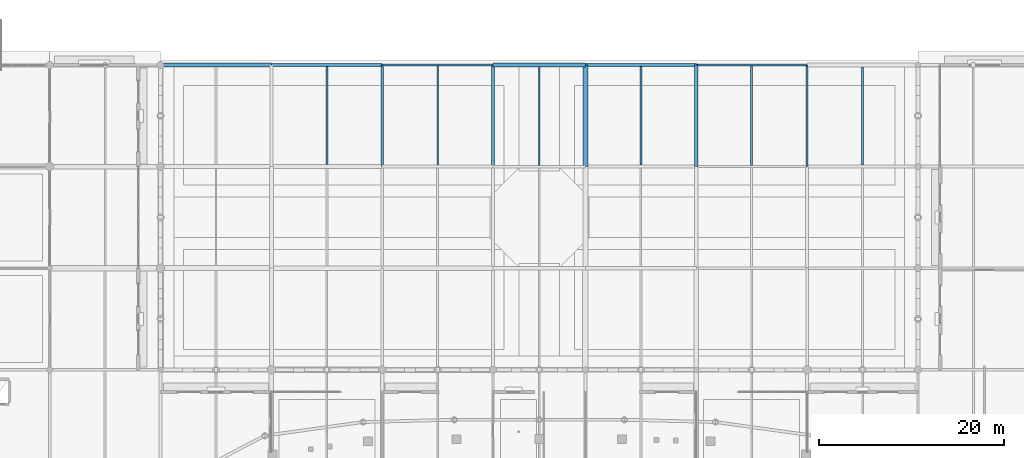
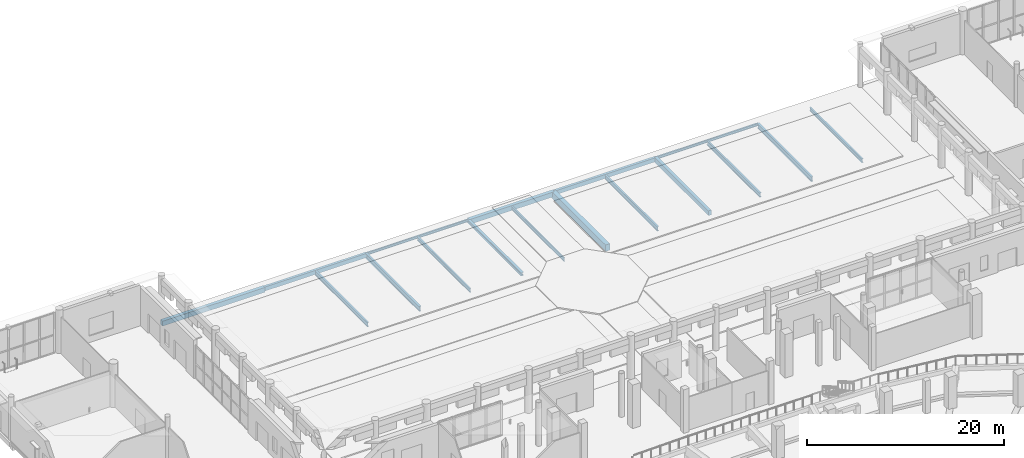
# One storey, part 39 of 120: 17 beams.
"""IFC4 building model written with IfcOpenShell, lengths in metres."""

from ifc_helpers import new_model, si_unit, direction, frame, origin, origin_2d, place, context, subcontext, project, spatial, rectangle, hollow_rectangle, i_section, extrude, material, material_profile, profile_set, type_object, element, save


model = new_model("IFC4")

# Units and contexts
model_context = context("Model", 3, precision=1e-05, world=origin(), true_north=direction((0.0, 1.0)))
body_context = subcontext(model_context, "Body", "Model", "MODEL_VIEW")
ifc_project = project(units=[si_unit("LENGTHUNIT", "METRE"), si_unit("AREAUNIT", "SQUARE_METRE"), si_unit("VOLUMEUNIT", "CUBIC_METRE"), si_unit("PLANEANGLEUNIT", "RADIAN"), si_unit("MASSUNIT", "GRAM", prefix="KILO")], contexts=[model_context])

# Site, building, storey
site_placement = place(None, origin())
site = spatial("IfcSite", under=ifc_project, at=site_placement, CompositionType="ELEMENT")
building_placement = place(site_placement, origin())
building = spatial("IfcBuilding", under=site, at=building_placement, Name="Luwafu Chhajja Arena", CompositionType="ELEMENT")
storey_placement = place(building_placement, origin())
storey = spatial("IfcBuildingStorey", under=building, at=storey_placement, Name="L00", CompositionType="ELEMENT", Elevation=0.0)

# Beams
ifc_material_1 = material(Name="Concrete C35/45", Category="concrete")
ifc_material_profile_1 = material_profile(ifc_material_1, rectangle(XDim=0.35009765625, YDim=0.60009765625, at=origin_2d()), Name="RC 350x600")
ifc_profile_set_1 = profile_set([ifc_material_profile_1], Name="Concrete C35/45")
beam_type_1 = type_object("IfcBeamType", Name="Arcade Tie Beam RC 350x600", PredefinedType="BEAM", material=ifc_profile_set_1)
beam_1_placement = place(storey_placement, frame((116.0, 121.0, -0.64990234375), z_axis=(0.0, 1.0, 0.0), x_axis=(-1.0, 0.0, 0.0)))
element("IfcBeam", 1, at=beam_1_placement, inside=storey, type_object=beam_type_1, Name="L00 Grid Beam 11/M-N", PredefinedType="BEAM", context=body_context, shape_type="SweptSolid", body=[
    extrude(rectangle(XDim=0.35009765625, YDim=0.60009765625, at=origin_2d()), origin(), (0.0, 0.0, 1.0), 11.0),
])
ifc_material_2 = material(Name="Steel S355", Category="steel")
ifc_material_profile_2 = material_profile(ifc_material_2, i_section(OverallWidth=0.165771484375, OverallDepth=0.306640625, WebThickness=0.006591796875, FlangeThickness=0.01171875, at=origin_2d()), Name="UB 305x165x46")
ifc_profile_set_2 = profile_set([ifc_material_profile_2], Name="Steel S355")
beam_type_2 = type_object("IfcBeamType", Name="Concourse Edge Spandrel Beam UB 305x165x46", PredefinedType="SPANDREL", material=ifc_profile_set_2)
for number, where, z_axis, x_axis, name in (
    (2, (82.0, 132.0, -0.50341796875), (1.0, 0.0, 0.0), (0.0, 1.0, 0.0), "L00 Grid Beam 8-9/N"),
    (3, (116.0, 132.0, -0.50341796875), (1.0, 0.0, 0.0), (0.0, 1.0, 0.0), "L00 Grid Beam 11-12/N"),
):
    element("IfcBeam", number, at=place(storey_placement, frame(where, z_axis=z_axis, x_axis=x_axis)), inside=storey, type_object=beam_type_2, Name=name, PredefinedType="SPANDREL", context=body_context, shape_type="SweptSolid", body=[
        extrude(i_section(OverallWidth=0.165771484375, OverallDepth=0.306640625, WebThickness=0.006591796875, FlangeThickness=0.01171875, at=origin_2d()), origin(), (0.0, 0.0, 1.0), 12.0),
    ])
ifc_material_profile_3 = material_profile(ifc_material_2, i_section(OverallWidth=0.15283203125, OverallDepth=0.45458984375, WebThickness=0.008056640625, FlangeThickness=0.01318359375, at=origin_2d()), Name="UB 457x152x60")
ifc_profile_set_3 = profile_set([ifc_material_profile_3], Name="Steel S355")
beam_type_3 = type_object("IfcBeamType", Name="Floor Joist UB 457x152x60", PredefinedType="JOIST", material=ifc_profile_set_3)
beam_2_placement = place(storey_placement, frame((99.0, 121.126953125, -0.577392578125), z_axis=(0.0, 1.0, 0.0), x_axis=(-1.0, 0.0, 0.0)))
element("IfcBeam", 4, at=beam_2_placement, inside=storey, type_object=beam_type_3, Name="L00 Secondary Joist 9-10/M", PredefinedType="JOIST", context=body_context, shape_type="SweptSolid", body=[
    extrude(i_section(OverallWidth=0.15283203125, OverallDepth=0.45458984375, WebThickness=0.008056640625, FlangeThickness=0.01318359375, at=origin_2d()), origin(), (0.0, 0.0, 1.0), 10.673095703125),
])
ifc_material_profile_4 = material_profile(ifc_material_2, i_section(OverallWidth=0.19140625, OverallDepth=0.4599609375, WebThickness=0.010009765625, FlangeThickness=0.01611328125, at=origin_2d()), Name="UB 457x191x82")
ifc_profile_set_4 = profile_set([ifc_material_profile_4], Name="Steel S355")
beam_type_4 = type_object("IfcBeamType", Name="Floor Joist UB 457x191x82", PredefinedType="JOIST", material=ifc_profile_set_4)
beam_3_placement = place(storey_placement, frame((88.0, 121.175048828125, -0.580078125), z_axis=(0.0, 1.0, 0.0), x_axis=(-1.0, 0.0, 0.0)))
element("IfcBeam", 5, at=beam_3_placement, inside=storey, type_object=beam_type_4, Name="L00 Secondary Joist 8-9/M", PredefinedType="JOIST", context=body_context, shape_type="SweptSolid", body=[
    extrude(i_section(OverallWidth=0.19140625, OverallDepth=0.4599609375, WebThickness=0.010009765625, FlangeThickness=0.01611328125, at=origin_2d()), origin(), (0.0, 0.0, 1.0), 10.741943359375),
])
beam_4_placement = place(storey_placement, frame((134.0, 121.14990234375, -0.580078125), z_axis=(0.0, 1.0, 0.0), x_axis=(-1.0, 0.0, 0.0)))
element("IfcBeam", 6, at=beam_4_placement, inside=storey, type_object=beam_type_4, Name="L00 Secondary Joist 12-13/M", PredefinedType="JOIST", context=body_context, shape_type="SweptSolid", body=[
    extrude(i_section(OverallWidth=0.19140625, OverallDepth=0.4599609375, WebThickness=0.010009765625, FlangeThickness=0.01611328125, at=origin_2d()), origin(), (0.0, 0.0, 1.0), 10.650146484375),
])
ifc_material_profile_5 = material_profile(ifc_material_2, i_section(OverallWidth=0.2099609375, OverallDepth=0.53662109375, WebThickness=0.0107421875, FlangeThickness=0.017333984375, at=origin_2d()), Name="UB 533x210x101")
ifc_profile_set_5 = profile_set([ifc_material_profile_5], Name="Steel S355")
beam_type_5 = type_object("IfcBeamType", Name="Floor Joist UB 533x210x101", PredefinedType="JOIST", material=ifc_profile_set_5)
beam_5_placement = place(storey_placement, frame((110.0, 121.153564453125, -0.618408203125), z_axis=(0.0, 1.0, 0.0), x_axis=(-1.0, 0.0, 0.0)))
element("IfcBeam", 7, at=beam_5_placement, inside=storey, type_object=beam_type_5, Name="L00 Secondary Joist 10-11/M", PredefinedType="JOIST", context=body_context, shape_type="SweptSolid", body=[
    extrude(i_section(OverallWidth=0.2099609375, OverallDepth=0.53662109375, WebThickness=0.0107421875, FlangeThickness=0.017333984375, at=origin_2d()), origin(), (0.0, 0.0, 1.0), 10.696533203125),
])
ifc_material_profile_6 = material_profile(ifc_material_2, i_section(OverallWidth=0.209228515625, OverallDepth=0.533203125, WebThickness=0.010009765625, FlangeThickness=0.015625, at=origin_2d()), Name="UB 533x210x92")
ifc_profile_set_6 = profile_set([ifc_material_profile_6], Name="Steel S355")
beam_type_6 = type_object("IfcBeamType", Name="Floor Joist UB 533x210x92", PredefinedType="JOIST", material=ifc_profile_set_6)
beam_6_placement = place(storey_placement, frame((76.0, 121.199951171875, -0.616455078125), z_axis=(0.0, 1.0, 0.0), x_axis=(-1.0, 0.0, 0.0)))
element("IfcBeam", 8, at=beam_6_placement, inside=storey, type_object=beam_type_6, Name="L00 Secondary Joist 7-8/M", PredefinedType="JOIST", context=body_context, shape_type="SweptSolid", body=[
    extrude(i_section(OverallWidth=0.209228515625, OverallDepth=0.533203125, WebThickness=0.010009765625, FlangeThickness=0.015625, at=origin_2d()), origin(), (0.0, 0.0, 1.0), 10.650146484375),
])
beam_7_placement = place(storey_placement, frame((122.0, 121.114501953125, -0.616455078125), z_axis=(0.0, 1.0, 0.0), x_axis=(-1.0, 0.0, 0.0)))
element("IfcBeam", 9, at=beam_7_placement, inside=storey, type_object=beam_type_6, Name="L00 Secondary Joist 11-12/M", PredefinedType="JOIST", context=body_context, shape_type="SweptSolid", body=[
    extrude(i_section(OverallWidth=0.209228515625, OverallDepth=0.533203125, WebThickness=0.010009765625, FlangeThickness=0.015625, at=origin_2d()), origin(), (0.0, 0.0, 1.0), 10.802490234375),
])
ifc_material_profile_7 = material_profile(ifc_material_1, rectangle(XDim=0.5, YDim=0.800048828125, at=origin_2d()), Name="RC 500x800")
ifc_profile_set_7 = profile_set([ifc_material_profile_7], Name="Concrete C35/45")
beam_type_7 = type_object("IfcBeamType", Name="Hospitality Primary Beam RC 500x800", PredefinedType="BEAM", material=ifc_profile_set_7)
beam_8_placement = place(storey_placement, frame((104.0, 121.0, -0.75), z_axis=(0.0, 1.0, 0.0), x_axis=(-1.0, 0.0, 0.0)))
element("IfcBeam", 10, at=beam_8_placement, inside=storey, type_object=beam_type_7, Name="L00 Grid Beam 10/M-N", PredefinedType="BEAM", context=body_context, shape_type="SweptSolid", body=[
    extrude(rectangle(XDim=0.5, YDim=0.800048828125, at=origin_2d()), origin(), (0.0, 0.0, 1.0), 11.0),
])
ifc_material_profile_8 = material_profile(ifc_material_2, hollow_rectangle(XDim=0.300048828125, YDim=0.5, WallThickness=0.02001953125, at=origin_2d()), Name="RHS 500x300x20")
ifc_profile_set_8 = profile_set([ifc_material_profile_8], Name="Steel S355")
beam_type_8 = type_object("IfcBeamType", Name="Pleated Drum Spandrel Beam RHS 500x300", PredefinedType="SPANDREL", material=ifc_profile_set_8)
for number, where, z_axis, x_axis, name in (
    (11, (70.0, 132.0, -0.60009765625), (1.0, 0.0, 0.0), (0.0, 1.0, 0.0), "L00 Grid Beam 7-8/N"),
    (12, (104.0, 132.0, -0.60009765625), (1.0, 0.0, 0.0), (0.0, 1.0, 0.0), "L00 Grid Beam 10-11/N"),
):
    element("IfcBeam", number, at=place(storey_placement, frame(where, z_axis=z_axis, x_axis=x_axis)), inside=storey, type_object=beam_type_8, Name=name, PredefinedType="SPANDREL", context=body_context, shape_type="SweptSolid", body=[
        extrude(hollow_rectangle(XDim=0.300048828125, YDim=0.5, WallThickness=0.02001953125, at=origin_2d()), origin(), (0.0, 0.0, 1.0), 12.0),
    ])
ifc_material_profile_9 = material_profile(ifc_material_1, rectangle(XDim=0.39990234375, YDim=0.60009765625, at=origin_2d()), Name="RC 400x600")
ifc_profile_set_9 = profile_set([ifc_material_profile_9], Name="Concrete C35/45")
beam_type_9 = type_object("IfcBeamType", Name="Podium Perimeter Spandrel RC 400x600", PredefinedType="SPANDREL", material=ifc_profile_set_9)
beam_9_placement = place(storey_placement, frame((58.0, 132.0, -0.64990234375), z_axis=(1.0, 0.0, 0.0), x_axis=(0.0, 1.0, 0.0)))
element("IfcBeam", 13, at=beam_9_placement, inside=storey, type_object=beam_type_9, Name="L00 Grid Beam 6-7/N", PredefinedType="SPANDREL", context=body_context, shape_type="SweptSolid", body=[
    extrude(rectangle(XDim=0.39990234375, YDim=0.60009765625, at=origin_2d()), origin(), (0.0, 0.0, 1.0), 12.0),
])
beam_10_placement = place(storey_placement, frame((94.0, 132.0, -0.64990234375), z_axis=(1.0, 0.0, 0.0), x_axis=(0.0, 1.0, 0.0)))
element("IfcBeam", 14, at=beam_10_placement, inside=storey, type_object=beam_type_9, Name="L00 Grid Beam 9-10/N", PredefinedType="SPANDREL", context=body_context, shape_type="SweptSolid", body=[
    extrude(rectangle(XDim=0.39990234375, YDim=0.60009765625, at=origin_2d()), origin(), (0.0, 0.0, 1.0), 10.0),
])
ifc_material_profile_10 = material_profile(ifc_material_2, i_section(OverallWidth=0.22900390625, OverallDepth=0.6123046875, WebThickness=0.011962890625, FlangeThickness=0.01953125, at=origin_2d()), Name="UB 610x229x125")
ifc_profile_set_10 = profile_set([ifc_material_profile_10], Name="Steel S355")
beam_type_10 = type_object("IfcBeamType", Name="Steel Mezzanine Girder UB 610x229x125", PredefinedType="BEAM", material=ifc_profile_set_10)
for number, where, z_axis, x_axis, name in (
    (15, (82.0, 121.0, -0.656005859375), (0.0, 1.0, 0.0), (-1.0, 0.0, 0.0), "L00 Grid Beam 8/M-N"),
    (16, (128.0, 121.0, -0.656005859375), (0.0, 1.0, 0.0), (-1.0, 0.0, 0.0), "L00 Grid Beam 12/M-N"),
):
    element("IfcBeam", number, at=place(storey_placement, frame(where, z_axis=z_axis, x_axis=x_axis)), inside=storey, type_object=beam_type_10, Name=name, PredefinedType="BEAM", context=body_context, shape_type="SweptSolid", body=[
        extrude(i_section(OverallWidth=0.22900390625, OverallDepth=0.6123046875, WebThickness=0.011962890625, FlangeThickness=0.01953125, at=origin_2d()), origin(), (0.0, 0.0, 1.0), 11.0),
    ])
ifc_material_profile_11 = material_profile(ifc_material_2, i_section(OverallWidth=0.300048828125, OverallDepth=0.39990234375, WebThickness=0.013427734375, FlangeThickness=0.02392578125, at=origin_2d()), Name="HEB 400")
ifc_profile_set_11 = profile_set([ifc_material_profile_11], Name="Steel S355")
beam_type_11 = type_object("IfcBeamType", Name="Steel Rigging Grid Beam HEB 400", PredefinedType="BEAM", material=ifc_profile_set_11)
beam_11_placement = place(storey_placement, frame((94.0, 121.0, -0.550048828125), z_axis=(0.0, 1.0, 0.0), x_axis=(-1.0, 0.0, 0.0)))
element("IfcBeam", 17, at=beam_11_placement, inside=storey, type_object=beam_type_11, Name="L00 Grid Beam 9/M-N", PredefinedType="BEAM", context=body_context, shape_type="SweptSolid", body=[
    extrude(i_section(OverallWidth=0.300048828125, OverallDepth=0.39990234375, WebThickness=0.013427734375, FlangeThickness=0.02392578125, at=origin_2d()), origin(), (0.0, 0.0, 1.0), 11.0),
])

save(model, "model.ifc")
